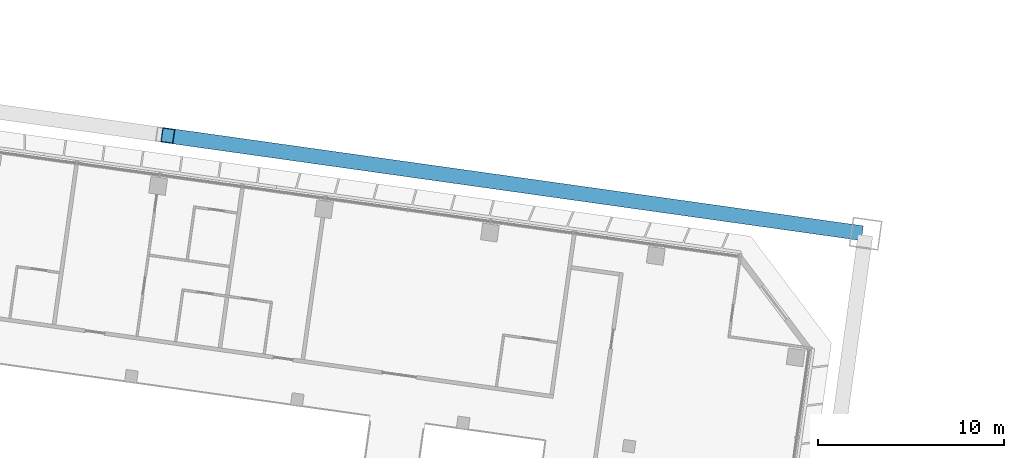
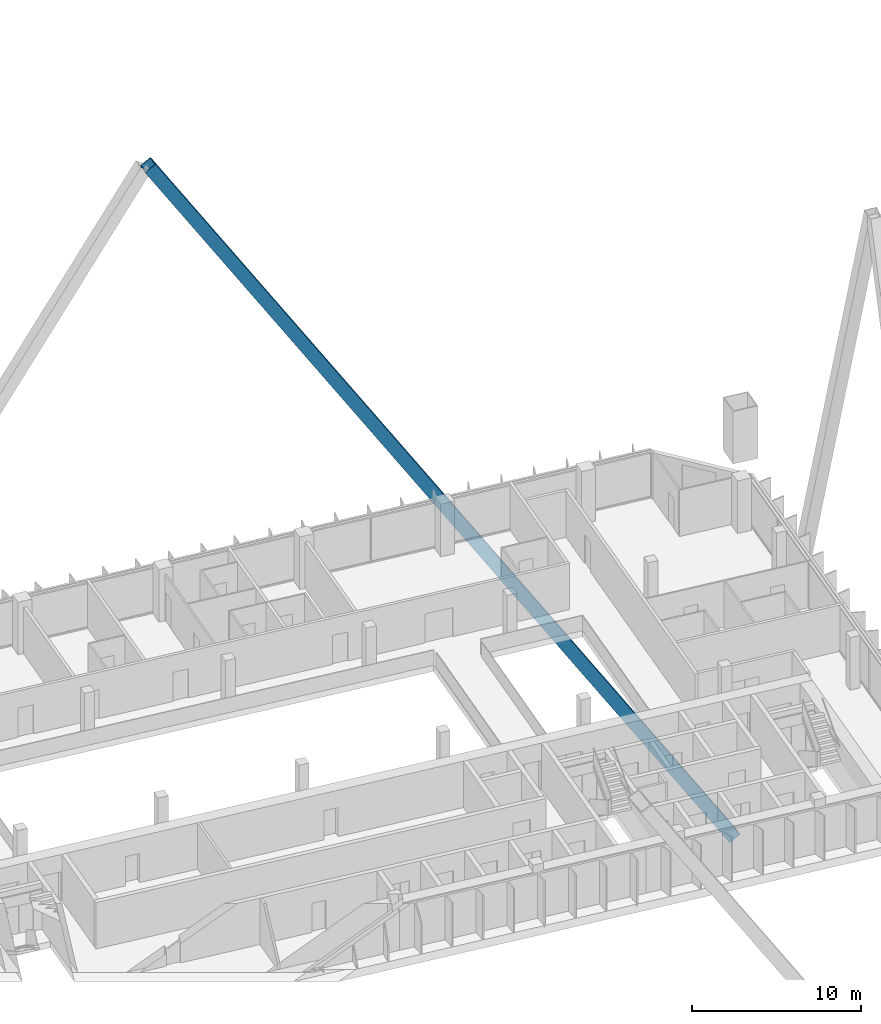
# One storey, part 9 of 41: 1 member.
"""IFC4 building model written with IfcOpenShell, lengths in metres."""

from ifc_helpers import new_model, si_unit, direction, frame, origin, origin_2d, place, context, subcontext, project, spatial, hollow_rectangle, extrude, material, material_profile, profile_set, type_object, element, save


model = new_model("IFC4")

# Units and contexts
model_context = context("Model", 3, precision=1e-05, world=origin(), true_north=direction((0.0, 1.0)))
body_context = subcontext(model_context, "Body", "Model", "MODEL_VIEW")
ifc_project = project(units=[si_unit("LENGTHUNIT", "METRE"), si_unit("AREAUNIT", "SQUARE_METRE"), si_unit("VOLUMEUNIT", "CUBIC_METRE"), si_unit("PLANEANGLEUNIT", "RADIAN"), si_unit("MASSUNIT", "GRAM", prefix="KILO")], contexts=[model_context])

# Site, building, storey
site_placement = place(None, origin())
site = spatial("IfcSite", under=ifc_project, at=site_placement, CompositionType="ELEMENT")
building_placement = place(site_placement, origin())
building = spatial("IfcBuilding", under=site, at=building_placement, Name="Mirante Cascada Hotel Towers", CompositionType="ELEMENT")
storey_placement = place(building_placement, frame((0.0, 0.0, 125.3)))
storey = spatial("IfcBuildingStorey", under=building, at=storey_placement, Name="L28", CompositionType="ELEMENT", Elevation=125.3)

# Member
ifc_material = material(Name="Steel ASTM A572 Gr 50", Category="steel")
ifc_material_profile = material_profile(ifc_material, hollow_rectangle(XDim=0.8, YDim=0.8, WallThickness=0.04, at=origin_2d()), Name="Box brace 800x800x40 ASTM A572 Gr 50")
ifc_profile_set = profile_set([ifc_material_profile], Name="Steel ASTM A572 Gr 50")
member_type = type_object("IfcMemberType", Name="Box brace 800x800x40 ASTM A572 Gr 50", PredefinedType="BRACE", material=ifc_profile_set)
member_placement = place(storey_placement, frame((-25.6051, 18.5887, -27.4172), z_axis=(-0.5344768, 0.0751163, 0.8418385), x_axis=(-0.1391741, -0.9902679, 0.0)))
element("IfcMember", 1, at=member_placement, inside=storey, type_object=member_type, Name="brace T1 L28 1", PredefinedType="BRACE", context=body_context, shape_type="SweptSolid", body=[
    extrude(hollow_rectangle(XDim=0.8, YDim=0.8, WallThickness=0.04, at=origin_2d()), origin(), (0.0, 0.0, 1.0), 69.1953),
])

save(model, "model.ifc")
